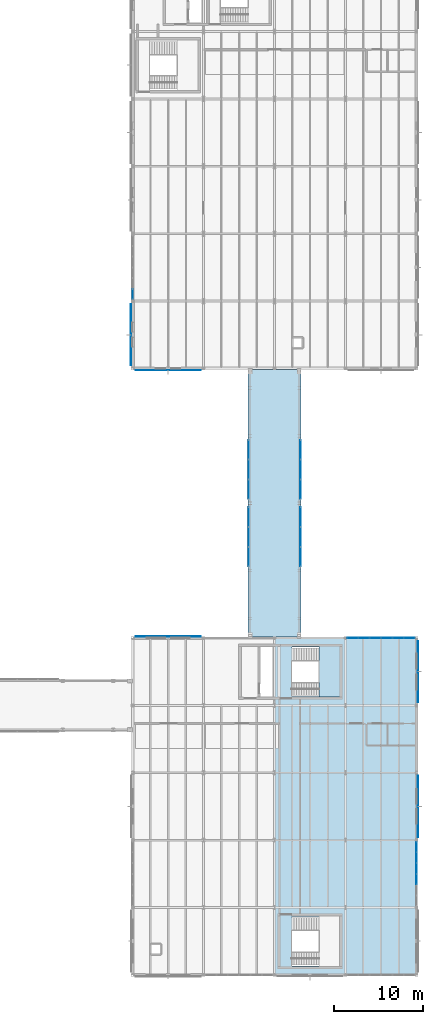
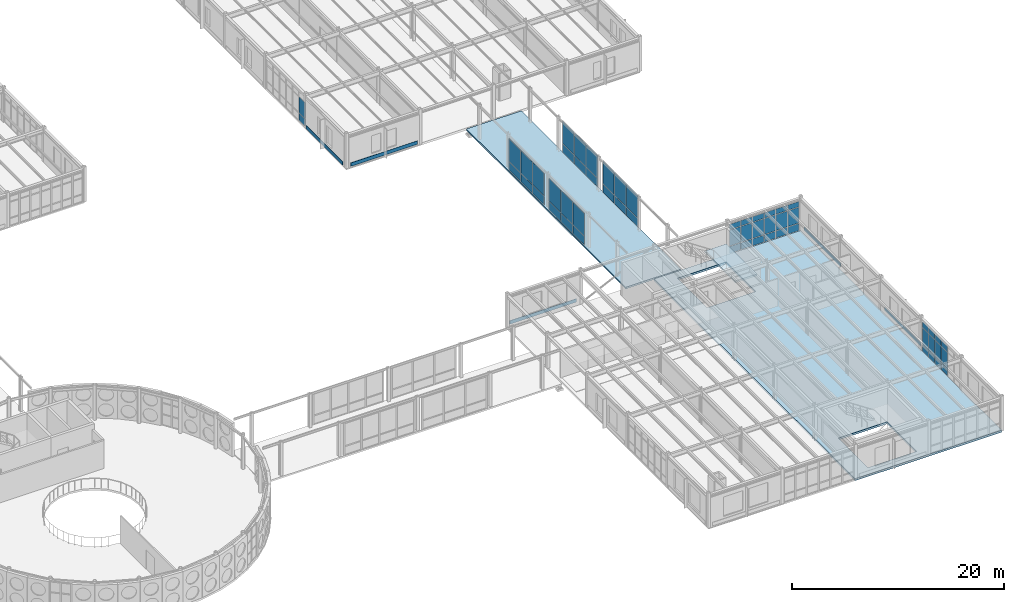
# One storey, part 130 of 165: 61 plates, 3 slabs, 8 elements without a shape of their own.
"""IFC4 building model written with IfcOpenShell, lengths in metres."""

from ifc_helpers import new_model, si_unit, direction, frame, origin, origin_2d, place, context, subcontext, project, spatial, polyline, rectangle, outline, extrude, material, layer, layer_set, type_object, element, aggregate, save


model = new_model("IFC4")

# Units and contexts
model_context = context("Model", 3, precision=1e-05, world=origin(), true_north=direction((0.0, 1.0)))
body_context = subcontext(model_context, "Body", "Model", "MODEL_VIEW")
ifc_project = project(units=[si_unit("LENGTHUNIT", "METRE"), si_unit("AREAUNIT", "SQUARE_METRE"), si_unit("VOLUMEUNIT", "CUBIC_METRE"), si_unit("PLANEANGLEUNIT", "RADIAN"), si_unit("MASSUNIT", "GRAM", prefix="KILO")], contexts=[model_context])

# Site, building, storey
site_placement = place(None, origin())
site = spatial("IfcSite", under=ifc_project, at=site_placement, CompositionType="ELEMENT")
building_placement = place(site_placement, origin())
building = spatial("IfcBuilding", under=site, at=building_placement, Name="Montecoro Central Library", CompositionType="ELEMENT")
storey_placement = place(building_placement, frame((0.0, 0.0, 5.10009765625)))
storey = spatial("IfcBuildingStorey", under=building, at=storey_placement, Name="L01", CompositionType="ELEMENT", Elevation=5.10009765625)

# Curtain wall, plates
ifc_material_1 = material(Name="Bronze-anodised aluminium and low-E glazing", Category="aluminium")
ifc_layer_1 = layer(ifc_material_1, 0.159912109375)
ifc_layer_set_1 = layer_set([ifc_layer_1], Name="Bronze-anodised aluminium and low-E glazing")
curtain_wall_type_1 = type_object("IfcCurtainWallType", Name="CWT-062", PredefinedType="NOTDEFINED", material=ifc_layer_set_1)
curtain_wall_1_placement = place(storey_placement, origin())
curtain_wall_1 = element("IfcCurtainWall", 1, at=curtain_wall_1_placement, inside=storey, type_object=curtain_wall_type_1, Name="V6-L01-CW-N3", PredefinedType="NOTDEFINED")
ifc_material_2 = material(Name="Laminated low-E double glazing", Category="glass")
ifc_layer_2 = layer(ifc_material_2, 0.02587890625)
ifc_layer_set_2 = layer_set([ifc_layer_2], Name="Laminated low-E double glazing")
plate_type_1 = type_object("IfcPlateType", Name="CWP-GLZ-01", PredefinedType="CURTAIN_PANEL", material=ifc_layer_set_2)
plate_1_placement = place(storey_placement, frame((172.19091796875, 43.0, 0.059814453125), z_axis=(0.0, 0.0, 1.0), x_axis=(-1.0, 0.0, 0.0)))
plate_1 = element("IfcPlate", 2, at=plate_1_placement, type_object=plate_type_1, Name="CW-062 panel 1.1", PredefinedType="CURTAIN_PANEL", context=body_context, shape_type="SweptSolid", body=[
    extrude(rectangle(XDim=1.1923828125, YDim=0.02587890625, at=origin_2d()), origin(), (0.0, 0.0, 1.0), 0.81005859375),
])
plate_2_placement = place(storey_placement, frame((172.19091796875, 43.0, 0.9296875), z_axis=(0.0, 0.0, 1.0), x_axis=(-1.0, 0.0, 0.0)))
plate_2 = element("IfcPlate", 3, at=plate_2_placement, type_object=plate_type_1, Name="CW-062 panel 1.2", PredefinedType="CURTAIN_PANEL", context=body_context, shape_type="SweptSolid", body=[
    extrude(rectangle(XDim=1.1923828125, YDim=0.02587890625, at=origin_2d()), origin(), (0.0, 0.0, 1.0), 1.820068359375),
])
plate_3_placement = place(storey_placement, frame((172.19091796875, 43.0, 2.81005859375), z_axis=(0.0, 0.0, 1.0), x_axis=(-1.0, 0.0, 0.0)))
plate_3 = element("IfcPlate", 4, at=plate_3_placement, type_object=plate_type_1, Name="CW-062 panel 1.3", PredefinedType="CURTAIN_PANEL", context=body_context, shape_type="SweptSolid", body=[
    extrude(rectangle(XDim=1.1923828125, YDim=0.02587890625, at=origin_2d()), origin(), (0.0, 0.0, 1.0), 0.610107421875),
])
plate_4_placement = place(storey_placement, frame((170.923583984375, 43.0, 0.059814453125), z_axis=(0.0, 0.0, 1.0), x_axis=(-1.0, 0.0, 0.0)))
plate_4 = element("IfcPlate", 5, at=plate_4_placement, type_object=plate_type_1, Name="CW-062 panel 2.1", PredefinedType="CURTAIN_PANEL", context=body_context, shape_type="SweptSolid", body=[
    extrude(rectangle(XDim=1.222412109375, YDim=0.02587890625, at=origin_2d()), origin(), (0.0, 0.0, 1.0), 0.81005859375),
])
plate_5_placement = place(storey_placement, frame((170.923583984375, 43.0, 0.9296875), z_axis=(0.0, 0.0, 1.0), x_axis=(-1.0, 0.0, 0.0)))
plate_5 = element("IfcPlate", 6, at=plate_5_placement, type_object=plate_type_1, Name="CW-062 panel 2.2", PredefinedType="CURTAIN_PANEL", context=body_context, shape_type="SweptSolid", body=[
    extrude(rectangle(XDim=1.222412109375, YDim=0.02587890625, at=origin_2d()), origin(), (0.0, 0.0, 1.0), 1.820068359375),
])
plate_6_placement = place(storey_placement, frame((170.923583984375, 43.0, 2.81005859375), z_axis=(0.0, 0.0, 1.0), x_axis=(-1.0, 0.0, 0.0)))
plate_6 = element("IfcPlate", 7, at=plate_6_placement, type_object=plate_type_1, Name="CW-062 panel 2.3", PredefinedType="CURTAIN_PANEL", context=body_context, shape_type="SweptSolid", body=[
    extrude(rectangle(XDim=1.222412109375, YDim=0.02587890625, at=origin_2d()), origin(), (0.0, 0.0, 1.0), 0.610107421875),
])
plate_7_placement = place(storey_placement, frame((169.64111328125, 43.0, 0.059814453125), z_axis=(0.0, 0.0, 1.0), x_axis=(-1.0, 0.0, 0.0)))
plate_7 = element("IfcPlate", 8, at=plate_7_placement, type_object=plate_type_1, Name="CW-062 panel 3.1", PredefinedType="CURTAIN_PANEL", context=body_context, shape_type="SweptSolid", body=[
    extrude(rectangle(XDim=1.222412109375, YDim=0.02587890625, at=origin_2d()), origin(), (0.0, 0.0, 1.0), 0.81005859375),
])
plate_8_placement = place(storey_placement, frame((169.64111328125, 43.0, 0.9296875), z_axis=(0.0, 0.0, 1.0), x_axis=(-1.0, 0.0, 0.0)))
plate_8 = element("IfcPlate", 9, at=plate_8_placement, type_object=plate_type_1, Name="CW-062 panel 3.2", PredefinedType="CURTAIN_PANEL", context=body_context, shape_type="SweptSolid", body=[
    extrude(rectangle(XDim=1.222412109375, YDim=0.02587890625, at=origin_2d()), origin(), (0.0, 0.0, 1.0), 1.820068359375),
])
plate_9_placement = place(storey_placement, frame((169.64111328125, 43.0, 2.81005859375), z_axis=(0.0, 0.0, 1.0), x_axis=(-1.0, 0.0, 0.0)))
plate_9 = element("IfcPlate", 10, at=plate_9_placement, type_object=plate_type_1, Name="CW-062 panel 3.3", PredefinedType="CURTAIN_PANEL", context=body_context, shape_type="SweptSolid", body=[
    extrude(rectangle(XDim=1.222412109375, YDim=0.02587890625, at=origin_2d()), origin(), (0.0, 0.0, 1.0), 0.610107421875),
])
plate_10_placement = place(storey_placement, frame((168.35888671875, 43.0, 0.059814453125), z_axis=(0.0, 0.0, 1.0), x_axis=(-1.0, 0.0, 0.0)))
plate_10 = element("IfcPlate", 11, at=plate_10_placement, type_object=plate_type_1, Name="CW-062 panel 4.1", PredefinedType="CURTAIN_PANEL", context=body_context, shape_type="SweptSolid", body=[
    extrude(rectangle(XDim=1.222412109375, YDim=0.02587890625, at=origin_2d()), origin(), (0.0, 0.0, 1.0), 0.81005859375),
])
plate_11_placement = place(storey_placement, frame((168.35888671875, 43.0, 0.9296875), z_axis=(0.0, 0.0, 1.0), x_axis=(-1.0, 0.0, 0.0)))
plate_11 = element("IfcPlate", 12, at=plate_11_placement, type_object=plate_type_1, Name="CW-062 panel 4.2", PredefinedType="CURTAIN_PANEL", context=body_context, shape_type="SweptSolid", body=[
    extrude(rectangle(XDim=1.222412109375, YDim=0.02587890625, at=origin_2d()), origin(), (0.0, 0.0, 1.0), 1.820068359375),
])
plate_12_placement = place(storey_placement, frame((168.35888671875, 43.0, 2.81005859375), z_axis=(0.0, 0.0, 1.0), x_axis=(-1.0, 0.0, 0.0)))
plate_12 = element("IfcPlate", 13, at=plate_12_placement, type_object=plate_type_1, Name="CW-062 panel 4.3", PredefinedType="CURTAIN_PANEL", context=body_context, shape_type="SweptSolid", body=[
    extrude(rectangle(XDim=1.222412109375, YDim=0.02587890625, at=origin_2d()), origin(), (0.0, 0.0, 1.0), 0.610107421875),
])
plate_13_placement = place(storey_placement, frame((167.076416015625, 43.0, 0.059814453125), z_axis=(0.0, 0.0, 1.0), x_axis=(-1.0, 0.0, 0.0)))
plate_13 = element("IfcPlate", 14, at=plate_13_placement, type_object=plate_type_1, Name="CW-062 panel 5.1", PredefinedType="CURTAIN_PANEL", context=body_context, shape_type="SweptSolid", body=[
    extrude(rectangle(XDim=1.222412109375, YDim=0.02587890625, at=origin_2d()), origin(), (0.0, 0.0, 1.0), 0.81005859375),
])
plate_14_placement = place(storey_placement, frame((167.076416015625, 43.0, 0.9296875), z_axis=(0.0, 0.0, 1.0), x_axis=(-1.0, 0.0, 0.0)))
plate_14 = element("IfcPlate", 15, at=plate_14_placement, type_object=plate_type_1, Name="CW-062 panel 5.2", PredefinedType="CURTAIN_PANEL", context=body_context, shape_type="SweptSolid", body=[
    extrude(rectangle(XDim=1.222412109375, YDim=0.02587890625, at=origin_2d()), origin(), (0.0, 0.0, 1.0), 1.820068359375),
])
plate_15_placement = place(storey_placement, frame((167.076416015625, 43.0, 2.81005859375), z_axis=(0.0, 0.0, 1.0), x_axis=(-1.0, 0.0, 0.0)))
plate_15 = element("IfcPlate", 16, at=plate_15_placement, type_object=plate_type_1, Name="CW-062 panel 5.3", PredefinedType="CURTAIN_PANEL", context=body_context, shape_type="SweptSolid", body=[
    extrude(rectangle(XDim=1.222412109375, YDim=0.02587890625, at=origin_2d()), origin(), (0.0, 0.0, 1.0), 0.610107421875),
])
plate_16_placement = place(storey_placement, frame((165.80908203125, 43.0, 0.059814453125), z_axis=(0.0, 0.0, 1.0), x_axis=(-1.0, 0.0, 0.0)))
plate_16 = element("IfcPlate", 17, at=plate_16_placement, type_object=plate_type_1, Name="CW-062 panel 6.1", PredefinedType="CURTAIN_PANEL", context=body_context, shape_type="SweptSolid", body=[
    extrude(rectangle(XDim=1.1923828125, YDim=0.02587890625, at=origin_2d()), origin(), (0.0, 0.0, 1.0), 0.81005859375),
])
plate_17_placement = place(storey_placement, frame((165.80908203125, 43.0, 0.9296875), z_axis=(0.0, 0.0, 1.0), x_axis=(-1.0, 0.0, 0.0)))
plate_17 = element("IfcPlate", 18, at=plate_17_placement, type_object=plate_type_1, Name="CW-062 panel 6.2", PredefinedType="CURTAIN_PANEL", context=body_context, shape_type="SweptSolid", body=[
    extrude(rectangle(XDim=1.1923828125, YDim=0.02587890625, at=origin_2d()), origin(), (0.0, 0.0, 1.0), 1.820068359375),
])
plate_18_placement = place(storey_placement, frame((165.80908203125, 43.0, 2.81005859375), z_axis=(0.0, 0.0, 1.0), x_axis=(-1.0, 0.0, 0.0)))
plate_18 = element("IfcPlate", 19, at=plate_18_placement, type_object=plate_type_1, Name="CW-062 panel 6.3", PredefinedType="CURTAIN_PANEL", context=body_context, shape_type="SweptSolid", body=[
    extrude(rectangle(XDim=1.1923828125, YDim=0.02587890625, at=origin_2d()), origin(), (0.0, 0.0, 1.0), 0.610107421875),
])
aggregate(curtain_wall_1, [plate_1, plate_2, plate_3, plate_4, plate_5, plate_6, plate_7, plate_8, plate_9, plate_10, plate_11, plate_12, plate_13, plate_14, plate_15, plate_16, plate_17, plate_18])

ifc_layer_3 = layer(ifc_material_1, 0.159912109375)
ifc_layer_set_3 = layer_set([ifc_layer_3], Name="Bronze-anodised aluminium and low-E glazing")
curtain_wall_type_2 = type_object("IfcCurtainWallType", Name="CWT-083", PredefinedType="NOTDEFINED", material=ifc_layer_set_3)
curtain_wall_2_placement = place(storey_placement, origin())
curtain_wall_2 = element("IfcCurtainWall", 20, at=curtain_wall_2_placement, inside=storey, type_object=curtain_wall_type_2, Name="BR-E-L01-CW-W1", PredefinedType="NOTDEFINED")
plate_19_placement = place(storey_placement, frame((154.080078125, 52.16162109375, 0.059814453125), z_axis=(0.0, 0.0, 1.0), x_axis=(0.0, 1.0, 0.0)))
plate_19 = element("IfcPlate", 21, at=plate_19_placement, type_object=plate_type_1, Name="CW-083 panel 1.1", PredefinedType="CURTAIN_PANEL", context=body_context, shape_type="SweptSolid", body=[
    extrude(rectangle(XDim=2.163330078125, YDim=0.02587890625, at=origin_2d()), origin(), (0.0, 0.0, 1.0), 0.9599609375),
])
plate_20_placement = place(storey_placement, frame((154.080078125, 52.16162109375, 1.080078125), z_axis=(0.0, 0.0, 1.0), x_axis=(0.0, 1.0, 0.0)))
plate_20 = element("IfcPlate", 22, at=plate_20_placement, type_object=plate_type_1, Name="CW-083 panel 1.2", PredefinedType="CURTAIN_PANEL", context=body_context, shape_type="SweptSolid", body=[
    extrude(rectangle(XDim=2.163330078125, YDim=0.02587890625, at=origin_2d()), origin(), (0.0, 0.0, 1.0), 2.590087890625),
])
plate_21_placement = place(storey_placement, frame((154.080078125, 54.39990234375, 0.059814453125), z_axis=(0.0, 0.0, 1.0), x_axis=(0.0, 1.0, 0.0)))
plate_21 = element("IfcPlate", 23, at=plate_21_placement, type_object=plate_type_1, Name="CW-083 panel 2.1", PredefinedType="CURTAIN_PANEL", context=body_context, shape_type="SweptSolid", body=[
    extrude(rectangle(XDim=2.193359375, YDim=0.02587890625, at=origin_2d()), origin(), (0.0, 0.0, 1.0), 0.9599609375),
])
plate_22_placement = place(storey_placement, frame((154.080078125, 54.39990234375, 1.080078125), z_axis=(0.0, 0.0, 1.0), x_axis=(0.0, 1.0, 0.0)))
plate_22 = element("IfcPlate", 24, at=plate_22_placement, type_object=plate_type_1, Name="CW-083 panel 2.2", PredefinedType="CURTAIN_PANEL", context=body_context, shape_type="SweptSolid", body=[
    extrude(rectangle(XDim=2.193359375, YDim=0.02587890625, at=origin_2d()), origin(), (0.0, 0.0, 1.0), 2.590087890625),
])
plate_23_placement = place(storey_placement, frame((154.080078125, 56.638427734375, 0.059814453125), z_axis=(0.0, 0.0, 1.0), x_axis=(0.0, 1.0, 0.0)))
plate_23 = element("IfcPlate", 25, at=plate_23_placement, type_object=plate_type_1, Name="CW-083 panel 3.1", PredefinedType="CURTAIN_PANEL", context=body_context, shape_type="SweptSolid", body=[
    extrude(rectangle(XDim=2.163330078125, YDim=0.02587890625, at=origin_2d()), origin(), (0.0, 0.0, 1.0), 0.9599609375),
])
plate_24_placement = place(storey_placement, frame((154.080078125, 56.638427734375, 1.080078125), z_axis=(0.0, 0.0, 1.0), x_axis=(0.0, 1.0, 0.0)))
plate_24 = element("IfcPlate", 26, at=plate_24_placement, type_object=plate_type_1, Name="CW-083 panel 3.2", PredefinedType="CURTAIN_PANEL", context=body_context, shape_type="SweptSolid", body=[
    extrude(rectangle(XDim=2.163330078125, YDim=0.02587890625, at=origin_2d()), origin(), (0.0, 0.0, 1.0), 2.590087890625),
])
aggregate(curtain_wall_2, [plate_19, plate_20, plate_21, plate_22, plate_23, plate_24])

ifc_layer_4 = layer(ifc_material_1, 0.159912109375)
ifc_layer_set_4 = layer_set([ifc_layer_4], Name="Bronze-anodised aluminium and low-E glazing")
curtain_wall_type_3 = type_object("IfcCurtainWallType", Name="CWT-084", PredefinedType="NOTDEFINED", material=ifc_layer_set_4)
curtain_wall_3_placement = place(storey_placement, origin())
curtain_wall_3 = element("IfcCurtainWall", 27, at=curtain_wall_3_placement, inside=storey, type_object=curtain_wall_type_3, Name="BR-E-L01-CW-W2", PredefinedType="NOTDEFINED")
plate_25_placement = place(storey_placement, frame((154.080078125, 59.76171875, 0.059814453125), z_axis=(0.0, 0.0, 1.0), x_axis=(0.0, 1.0, 0.0)))
plate_25 = element("IfcPlate", 28, at=plate_25_placement, type_object=plate_type_1, Name="CW-084 panel 1.1", PredefinedType="CURTAIN_PANEL", context=body_context, shape_type="SweptSolid", body=[
    extrude(rectangle(XDim=2.163330078125, YDim=0.02587890625, at=origin_2d()), origin(), (0.0, 0.0, 1.0), 0.9599609375),
])
plate_26_placement = place(storey_placement, frame((154.080078125, 59.76171875, 1.080078125), z_axis=(0.0, 0.0, 1.0), x_axis=(0.0, 1.0, 0.0)))
plate_26 = element("IfcPlate", 29, at=plate_26_placement, type_object=plate_type_1, Name="CW-084 panel 1.2", PredefinedType="CURTAIN_PANEL", context=body_context, shape_type="SweptSolid", body=[
    extrude(rectangle(XDim=2.163330078125, YDim=0.02587890625, at=origin_2d()), origin(), (0.0, 0.0, 1.0), 2.590087890625),
])
plate_27_placement = place(storey_placement, frame((154.080078125, 62.0, 0.059814453125), z_axis=(0.0, 0.0, 1.0), x_axis=(0.0, 1.0, 0.0)))
plate_27 = element("IfcPlate", 30, at=plate_27_placement, type_object=plate_type_1, Name="CW-084 panel 2.1", PredefinedType="CURTAIN_PANEL", context=body_context, shape_type="SweptSolid", body=[
    extrude(rectangle(XDim=2.193359375, YDim=0.02587890625, at=origin_2d()), origin(), (0.0, 0.0, 1.0), 0.9599609375),
])
plate_28_placement = place(storey_placement, frame((154.080078125, 62.0, 1.080078125), z_axis=(0.0, 0.0, 1.0), x_axis=(0.0, 1.0, 0.0)))
plate_28 = element("IfcPlate", 31, at=plate_28_placement, type_object=plate_type_1, Name="CW-084 panel 2.2", PredefinedType="CURTAIN_PANEL", context=body_context, shape_type="SweptSolid", body=[
    extrude(rectangle(XDim=2.193359375, YDim=0.02587890625, at=origin_2d()), origin(), (0.0, 0.0, 1.0), 2.590087890625),
])
plate_29_placement = place(storey_placement, frame((154.080078125, 64.23828125, 0.059814453125), z_axis=(0.0, 0.0, 1.0), x_axis=(0.0, 1.0, 0.0)))
plate_29 = element("IfcPlate", 32, at=plate_29_placement, type_object=plate_type_1, Name="CW-084 panel 3.1", PredefinedType="CURTAIN_PANEL", context=body_context, shape_type="SweptSolid", body=[
    extrude(rectangle(XDim=2.163330078125, YDim=0.02587890625, at=origin_2d()), origin(), (0.0, 0.0, 1.0), 0.9599609375),
])
plate_30_placement = place(storey_placement, frame((154.080078125, 64.23828125, 1.080078125), z_axis=(0.0, 0.0, 1.0), x_axis=(0.0, 1.0, 0.0)))
plate_30 = element("IfcPlate", 33, at=plate_30_placement, type_object=plate_type_1, Name="CW-084 panel 3.2", PredefinedType="CURTAIN_PANEL", context=body_context, shape_type="SweptSolid", body=[
    extrude(rectangle(XDim=2.163330078125, YDim=0.02587890625, at=origin_2d()), origin(), (0.0, 0.0, 1.0), 2.590087890625),
])
aggregate(curtain_wall_3, [plate_25, plate_26, plate_27, plate_28, plate_29, plate_30])

curtain_wall_4_placement = place(storey_placement, origin())
curtain_wall_4 = element("IfcCurtainWall", 34, at=curtain_wall_4_placement, inside=storey, type_object=curtain_wall_type_2, Name="BR-E-L01-CW-E1", PredefinedType="NOTDEFINED")
plate_31_placement = place(storey_placement, frame((159.919921875, 52.16162109375, 0.059814453125), z_axis=(0.0, 0.0, 1.0), x_axis=(0.0, 1.0, 0.0)))
plate_31 = element("IfcPlate", 35, at=plate_31_placement, type_object=plate_type_1, Name="CW-083 panel 1.1", PredefinedType="CURTAIN_PANEL", context=body_context, shape_type="SweptSolid", body=[
    extrude(rectangle(XDim=2.163330078125, YDim=0.02587890625, at=origin_2d()), origin(), (0.0, 0.0, 1.0), 0.9599609375),
])
plate_32_placement = place(storey_placement, frame((159.919921875, 52.16162109375, 1.080078125), z_axis=(0.0, 0.0, 1.0), x_axis=(0.0, 1.0, 0.0)))
plate_32 = element("IfcPlate", 36, at=plate_32_placement, type_object=plate_type_1, Name="CW-083 panel 1.2", PredefinedType="CURTAIN_PANEL", context=body_context, shape_type="SweptSolid", body=[
    extrude(rectangle(XDim=2.163330078125, YDim=0.02587890625, at=origin_2d()), origin(), (0.0, 0.0, 1.0), 2.590087890625),
])
plate_33_placement = place(storey_placement, frame((159.919921875, 54.39990234375, 0.059814453125), z_axis=(0.0, 0.0, 1.0), x_axis=(0.0, 1.0, 0.0)))
plate_33 = element("IfcPlate", 37, at=plate_33_placement, type_object=plate_type_1, Name="CW-083 panel 2.1", PredefinedType="CURTAIN_PANEL", context=body_context, shape_type="SweptSolid", body=[
    extrude(rectangle(XDim=2.193359375, YDim=0.02587890625, at=origin_2d()), origin(), (0.0, 0.0, 1.0), 0.9599609375),
])
plate_34_placement = place(storey_placement, frame((159.919921875, 54.39990234375, 1.080078125), z_axis=(0.0, 0.0, 1.0), x_axis=(0.0, 1.0, 0.0)))
plate_34 = element("IfcPlate", 38, at=plate_34_placement, type_object=plate_type_1, Name="CW-083 panel 2.2", PredefinedType="CURTAIN_PANEL", context=body_context, shape_type="SweptSolid", body=[
    extrude(rectangle(XDim=2.193359375, YDim=0.02587890625, at=origin_2d()), origin(), (0.0, 0.0, 1.0), 2.590087890625),
])
plate_35_placement = place(storey_placement, frame((159.919921875, 56.638427734375, 0.059814453125), z_axis=(0.0, 0.0, 1.0), x_axis=(0.0, 1.0, 0.0)))
plate_35 = element("IfcPlate", 39, at=plate_35_placement, type_object=plate_type_1, Name="CW-083 panel 3.1", PredefinedType="CURTAIN_PANEL", context=body_context, shape_type="SweptSolid", body=[
    extrude(rectangle(XDim=2.163330078125, YDim=0.02587890625, at=origin_2d()), origin(), (0.0, 0.0, 1.0), 0.9599609375),
])
plate_36_placement = place(storey_placement, frame((159.919921875, 56.638427734375, 1.080078125), z_axis=(0.0, 0.0, 1.0), x_axis=(0.0, 1.0, 0.0)))
plate_36 = element("IfcPlate", 40, at=plate_36_placement, type_object=plate_type_1, Name="CW-083 panel 3.2", PredefinedType="CURTAIN_PANEL", context=body_context, shape_type="SweptSolid", body=[
    extrude(rectangle(XDim=2.163330078125, YDim=0.02587890625, at=origin_2d()), origin(), (0.0, 0.0, 1.0), 2.590087890625),
])
aggregate(curtain_wall_4, [plate_31, plate_32, plate_33, plate_34, plate_35, plate_36])

curtain_wall_5_placement = place(storey_placement, origin())
curtain_wall_5 = element("IfcCurtainWall", 41, at=curtain_wall_5_placement, inside=storey, type_object=curtain_wall_type_3, Name="BR-E-L01-CW-E2", PredefinedType="NOTDEFINED")
plate_37_placement = place(storey_placement, frame((159.919921875, 59.76171875, 0.059814453125), z_axis=(0.0, 0.0, 1.0), x_axis=(0.0, 1.0, 0.0)))
plate_37 = element("IfcPlate", 42, at=plate_37_placement, type_object=plate_type_1, Name="CW-084 panel 1.1", PredefinedType="CURTAIN_PANEL", context=body_context, shape_type="SweptSolid", body=[
    extrude(rectangle(XDim=2.163330078125, YDim=0.02587890625, at=origin_2d()), origin(), (0.0, 0.0, 1.0), 0.9599609375),
])
plate_38_placement = place(storey_placement, frame((159.919921875, 59.76171875, 1.080078125), z_axis=(0.0, 0.0, 1.0), x_axis=(0.0, 1.0, 0.0)))
plate_38 = element("IfcPlate", 43, at=plate_38_placement, type_object=plate_type_1, Name="CW-084 panel 1.2", PredefinedType="CURTAIN_PANEL", context=body_context, shape_type="SweptSolid", body=[
    extrude(rectangle(XDim=2.163330078125, YDim=0.02587890625, at=origin_2d()), origin(), (0.0, 0.0, 1.0), 2.590087890625),
])
plate_39_placement = place(storey_placement, frame((159.919921875, 62.0, 0.059814453125), z_axis=(0.0, 0.0, 1.0), x_axis=(0.0, 1.0, 0.0)))
plate_39 = element("IfcPlate", 44, at=plate_39_placement, type_object=plate_type_1, Name="CW-084 panel 2.1", PredefinedType="CURTAIN_PANEL", context=body_context, shape_type="SweptSolid", body=[
    extrude(rectangle(XDim=2.193359375, YDim=0.02587890625, at=origin_2d()), origin(), (0.0, 0.0, 1.0), 0.9599609375),
])
plate_40_placement = place(storey_placement, frame((159.919921875, 62.0, 1.080078125), z_axis=(0.0, 0.0, 1.0), x_axis=(0.0, 1.0, 0.0)))
plate_40 = element("IfcPlate", 45, at=plate_40_placement, type_object=plate_type_1, Name="CW-084 panel 2.2", PredefinedType="CURTAIN_PANEL", context=body_context, shape_type="SweptSolid", body=[
    extrude(rectangle(XDim=2.193359375, YDim=0.02587890625, at=origin_2d()), origin(), (0.0, 0.0, 1.0), 2.590087890625),
])
plate_41_placement = place(storey_placement, frame((159.919921875, 64.23828125, 0.059814453125), z_axis=(0.0, 0.0, 1.0), x_axis=(0.0, 1.0, 0.0)))
plate_41 = element("IfcPlate", 46, at=plate_41_placement, type_object=plate_type_1, Name="CW-084 panel 3.1", PredefinedType="CURTAIN_PANEL", context=body_context, shape_type="SweptSolid", body=[
    extrude(rectangle(XDim=2.163330078125, YDim=0.02587890625, at=origin_2d()), origin(), (0.0, 0.0, 1.0), 0.9599609375),
])
plate_42_placement = place(storey_placement, frame((159.919921875, 64.23828125, 1.080078125), z_axis=(0.0, 0.0, 1.0), x_axis=(0.0, 1.0, 0.0)))
plate_42 = element("IfcPlate", 47, at=plate_42_placement, type_object=plate_type_1, Name="CW-084 panel 3.2", PredefinedType="CURTAIN_PANEL", context=body_context, shape_type="SweptSolid", body=[
    extrude(rectangle(XDim=2.163330078125, YDim=0.02587890625, at=origin_2d()), origin(), (0.0, 0.0, 1.0), 2.590087890625),
])
aggregate(curtain_wall_5, [plate_37, plate_38, plate_39, plate_40, plate_41, plate_42])

ifc_layer_5 = layer(ifc_material_1, 0.159912109375)
ifc_layer_set_5 = layer_set([ifc_layer_5], Name="Bronze-anodised aluminium and low-E glazing")
curtain_wall_type_4 = type_object("IfcCurtainWallType", Name="CWT-053", PredefinedType="NOTDEFINED", material=ifc_layer_set_5)
curtain_wall_6_placement = place(storey_placement, origin())
curtain_wall_6 = element("IfcCurtainWall", 48, at=curtain_wall_6_placement, inside=storey, type_object=curtain_wall_type_4, Name="V5-L01-CW-W1", PredefinedType="NOTDEFINED")
ifc_layer_6 = layer(ifc_material_2, 0.0380859375)
ifc_layer_set_6 = layer_set([ifc_layer_6], Name="Laminated low-E double glazing")
plate_type_2 = type_object("IfcPlateType", Name="CWP-GLZ-04", PredefinedType="CURTAIN_PANEL", material=ifc_layer_set_6)
plate_43_placement = place(storey_placement, frame((141.0, 81.77587890625, 0.059814453125), z_axis=(0.0, 0.0, 1.0), x_axis=(0.0, -1.0, 0.0)))
plate_43 = element("IfcPlate", 49, at=plate_43_placement, type_object=plate_type_2, Name="CW-053 panel 6.1", PredefinedType="CURTAIN_PANEL", context=body_context, shape_type="SweptSolid", body=[
    extrude(rectangle(XDim=1.125732421875, YDim=0.0380859375, at=origin_2d()), origin(), (0.0, 0.0, 1.0), 0.81005859375),
])
plate_44_placement = place(storey_placement, frame((141.0, 81.77587890625, 0.9296875), z_axis=(0.0, 0.0, 1.0), x_axis=(0.0, -1.0, 0.0)))
plate_44 = element("IfcPlate", 50, at=plate_44_placement, type_object=plate_type_2, Name="CW-053 panel 6.2", PredefinedType="CURTAIN_PANEL", context=body_context, shape_type="SweptSolid", body=[
    extrude(rectangle(XDim=1.125732421875, YDim=0.0380859375, at=origin_2d()), origin(), (0.0, 0.0, 1.0), 1.820068359375),
])
aggregate(curtain_wall_6, [plate_43, plate_44])

ifc_layer_7 = layer(ifc_material_1, 0.159912109375)
ifc_layer_set_7 = layer_set([ifc_layer_7], Name="Bronze-anodised aluminium and low-E glazing")
curtain_wall_type_5 = type_object("IfcCurtainWallType", Name="CWT-061", PredefinedType="NOTDEFINED", material=ifc_layer_set_7)
curtain_wall_7_placement = place(storey_placement, origin())
curtain_wall_7 = element("IfcCurtainWall", 51, at=curtain_wall_7_placement, inside=storey, type_object=curtain_wall_type_5, Name="V6-L01-CW-E1", PredefinedType="NOTDEFINED")
plate_45_placement = place(storey_placement, frame((173.0, 15.792236328125, 0.059814453125), z_axis=(0.0, 0.0, 1.0), x_axis=(0.0, 1.0, 0.0)))
plate_45 = element("IfcPlate", 52, at=plate_45_placement, type_object=plate_type_2, Name="CW-061 panel 3.1", PredefinedType="CURTAIN_PANEL", context=body_context, shape_type="SweptSolid", body=[
    extrude(rectangle(XDim=1.15576171875, YDim=0.0380859375, at=origin_2d()), origin(), (0.0, 0.0, 1.0), 0.81005859375),
])
plate_46_placement = place(storey_placement, frame((173.0, 15.792236328125, 0.9296875), z_axis=(0.0, 0.0, 1.0), x_axis=(0.0, 1.0, 0.0)))
plate_46 = element("IfcPlate", 53, at=plate_46_placement, type_object=plate_type_2, Name="CW-061 panel 3.2", PredefinedType="CURTAIN_PANEL", context=body_context, shape_type="SweptSolid", body=[
    extrude(rectangle(XDim=1.15576171875, YDim=0.0380859375, at=origin_2d()), origin(), (0.0, 0.0, 1.0), 1.820068359375),
])
plate_47_placement = place(storey_placement, frame((173.0, 15.792236328125, 2.81005859375), z_axis=(0.0, 0.0, 1.0), x_axis=(0.0, 1.0, 0.0)))
plate_47 = element("IfcPlate", 54, at=plate_47_placement, type_object=plate_type_2, Name="CW-061 panel 3.3", PredefinedType="CURTAIN_PANEL", context=body_context, shape_type="SweptSolid", body=[
    extrude(rectangle(XDim=1.15576171875, YDim=0.0380859375, at=origin_2d()), origin(), (0.0, 0.0, 1.0), 0.610107421875),
])
plate_48_placement = place(storey_placement, frame((173.0, 17.0078125, 0.059814453125), z_axis=(0.0, 0.0, 1.0), x_axis=(0.0, 1.0, 0.0)))
plate_48 = element("IfcPlate", 55, at=plate_48_placement, type_object=plate_type_2, Name="CW-061 panel 4.1", PredefinedType="CURTAIN_PANEL", context=body_context, shape_type="SweptSolid", body=[
    extrude(rectangle(XDim=1.15576171875, YDim=0.0380859375, at=origin_2d()), origin(), (0.0, 0.0, 1.0), 0.81005859375),
])
plate_49_placement = place(storey_placement, frame((173.0, 17.0078125, 0.9296875), z_axis=(0.0, 0.0, 1.0), x_axis=(0.0, 1.0, 0.0)))
plate_49 = element("IfcPlate", 56, at=plate_49_placement, type_object=plate_type_2, Name="CW-061 panel 4.2", PredefinedType="CURTAIN_PANEL", context=body_context, shape_type="SweptSolid", body=[
    extrude(rectangle(XDim=1.15576171875, YDim=0.0380859375, at=origin_2d()), origin(), (0.0, 0.0, 1.0), 1.820068359375),
])
plate_50_placement = place(storey_placement, frame((173.0, 17.0078125, 2.81005859375), z_axis=(0.0, 0.0, 1.0), x_axis=(0.0, 1.0, 0.0)))
plate_50 = element("IfcPlate", 57, at=plate_50_placement, type_object=plate_type_2, Name="CW-061 panel 4.3", PredefinedType="CURTAIN_PANEL", context=body_context, shape_type="SweptSolid", body=[
    extrude(rectangle(XDim=1.15576171875, YDim=0.0380859375, at=origin_2d()), origin(), (0.0, 0.0, 1.0), 0.610107421875),
])
plate_51_placement = place(storey_placement, frame((173.0, 18.223388671875, 0.059814453125), z_axis=(0.0, 0.0, 1.0), x_axis=(0.0, 1.0, 0.0)))
plate_51 = element("IfcPlate", 58, at=plate_51_placement, type_object=plate_type_2, Name="CW-061 panel 5.1", PredefinedType="CURTAIN_PANEL", context=body_context, shape_type="SweptSolid", body=[
    extrude(rectangle(XDim=1.15576171875, YDim=0.0380859375, at=origin_2d()), origin(), (0.0, 0.0, 1.0), 0.81005859375),
])
plate_52_placement = place(storey_placement, frame((173.0, 18.223388671875, 0.9296875), z_axis=(0.0, 0.0, 1.0), x_axis=(0.0, 1.0, 0.0)))
plate_52 = element("IfcPlate", 59, at=plate_52_placement, type_object=plate_type_2, Name="CW-061 panel 5.2", PredefinedType="CURTAIN_PANEL", context=body_context, shape_type="SweptSolid", body=[
    extrude(rectangle(XDim=1.15576171875, YDim=0.0380859375, at=origin_2d()), origin(), (0.0, 0.0, 1.0), 1.820068359375),
])
plate_53_placement = place(storey_placement, frame((173.0, 18.223388671875, 2.81005859375), z_axis=(0.0, 0.0, 1.0), x_axis=(0.0, 1.0, 0.0)))
plate_53 = element("IfcPlate", 60, at=plate_53_placement, type_object=plate_type_2, Name="CW-061 panel 5.3", PredefinedType="CURTAIN_PANEL", context=body_context, shape_type="SweptSolid", body=[
    extrude(rectangle(XDim=1.15576171875, YDim=0.0380859375, at=origin_2d()), origin(), (0.0, 0.0, 1.0), 0.610107421875),
])
plate_54_placement = place(storey_placement, frame((173.0, 19.424072265625, 0.059814453125), z_axis=(0.0, 0.0, 1.0), x_axis=(0.0, 1.0, 0.0)))
plate_54 = element("IfcPlate", 61, at=plate_54_placement, type_object=plate_type_2, Name="CW-061 panel 6.1", PredefinedType="CURTAIN_PANEL", context=body_context, shape_type="SweptSolid", body=[
    extrude(rectangle(XDim=1.125732421875, YDim=0.0380859375, at=origin_2d()), origin(), (0.0, 0.0, 1.0), 0.81005859375),
])
plate_55_placement = place(storey_placement, frame((173.0, 19.424072265625, 0.9296875), z_axis=(0.0, 0.0, 1.0), x_axis=(0.0, 1.0, 0.0)))
plate_55 = element("IfcPlate", 62, at=plate_55_placement, type_object=plate_type_2, Name="CW-061 panel 6.2", PredefinedType="CURTAIN_PANEL", context=body_context, shape_type="SweptSolid", body=[
    extrude(rectangle(XDim=1.125732421875, YDim=0.0380859375, at=origin_2d()), origin(), (0.0, 0.0, 1.0), 1.820068359375),
])
plate_56_placement = place(storey_placement, frame((173.0, 19.424072265625, 2.81005859375), z_axis=(0.0, 0.0, 1.0), x_axis=(0.0, 1.0, 0.0)))
plate_56 = element("IfcPlate", 63, at=plate_56_placement, type_object=plate_type_2, Name="CW-061 panel 6.3", PredefinedType="CURTAIN_PANEL", context=body_context, shape_type="SweptSolid", body=[
    extrude(rectangle(XDim=1.125732421875, YDim=0.0380859375, at=origin_2d()), origin(), (0.0, 0.0, 1.0), 0.610107421875),
])
aggregate(curtain_wall_7, [plate_45, plate_46, plate_47, plate_48, plate_49, plate_50, plate_51, plate_52, plate_53, plate_54, plate_55, plate_56])

# Plates
ifc_material_3 = material(Name="Architectural bronze spandrel plate", Category="aluminium")
ifc_layer_8 = layer(ifc_material_3, 0.02197265625)
ifc_layer_set_8 = layer_set([ifc_layer_8], Name="Architectural bronze spandrel plate")
plate_type_3 = type_object("IfcPlateType", Name="PLT-SPN-01", PredefinedType="SHEET", material=ifc_layer_set_8)
plate_57_placement = place(storey_placement, frame((173.166015625, 24.0, 0.159912109375), z_axis=(0.0, 0.0, 1.0), x_axis=(0.0, 1.0, 0.0)))
element("IfcPlate", 64, at=plate_57_placement, inside=storey, type_object=plate_type_3, Name="V6-L01-SPN-E2", PredefinedType="SHEET", context=body_context, shape_type="SweptSolid", body=[
    extrude(rectangle(XDim=6.89404296875, YDim=0.02197265625, at=origin_2d()), origin(), (0.0, 0.0, 1.0), 0.39990234375),
])
ifc_layer_9 = layer(ifc_material_3, 0.035888671875)
ifc_layer_set_9 = layer_set([ifc_layer_9], Name="Architectural bronze spandrel plate")
plate_type_4 = type_object("IfcPlateType", Name="PLT-SPN-03", PredefinedType="SHEET", material=ifc_layer_set_9)
plate_58_placement = place(storey_placement, frame((145.0, 73.199462890625, 0.159912109375), z_axis=(0.0, 0.0, 1.0), x_axis=(1.0, 0.0, 0.0)))
element("IfcPlate", 65, at=plate_58_placement, inside=storey, type_object=plate_type_4, Name="V5-L01-SPN-S0", PredefinedType="SHEET", context=body_context, shape_type="SweptSolid", body=[
    extrude(rectangle(XDim=7.2939453125, YDim=0.035888671875, at=origin_2d()), origin(), (0.0, 0.0, 1.0), 0.39990234375),
])
for number, where, z_axis, x_axis, name in (
    (66, (140.799560546875, 77.199951171875, 0.159912109375), (0.0, 0.0, 1.0), (0.0, -1.0, 0.0), "V5-L01-SPN-W0"),
    (67, (173.173095703125, 39.199951171875, 0.159912109375), (0.0, 0.0, 1.0), (0.0, 1.0, 0.0), "V6-L01-SPN-E4"),
):
    element("IfcPlate", number, at=place(storey_placement, frame(where, z_axis=z_axis, x_axis=x_axis)), inside=storey, type_object=plate_type_4, Name=name, PredefinedType="SHEET", context=body_context, shape_type="SweptSolid", body=[
        extrude(rectangle(XDim=6.89404296875, YDim=0.035888671875, at=origin_2d()), origin(), (0.0, 0.0, 1.0), 0.39990234375),
    ])
plate_59_placement = place(storey_placement, frame((145.0, 43.173095703125, 0.159912109375), z_axis=(0.0, 0.0, 1.0), x_axis=(-1.0, 0.0, 0.0)))
element("IfcPlate", 68, at=plate_59_placement, inside=storey, type_object=plate_type_4, Name="V6-L01-SPN-N0", PredefinedType="SHEET", context=body_context, shape_type="SweptSolid", body=[
    extrude(rectangle(XDim=7.2939453125, YDim=0.035888671875, at=origin_2d()), origin(), (0.0, 0.0, 1.0), 0.39990234375),
])

# Slabs
ifc_material_4 = material(Name="Concrete C32/40", Category="concrete")
ifc_layer_10 = layer(ifc_material_4, 0.18505859375)
ifc_layer_set_10 = layer_set([ifc_layer_10], Name="Concrete C32/40")
slab_type_1 = type_object("IfcSlabType", Name="SL-BRG-185", PredefinedType="FLOOR", material=ifc_layer_set_10)
slab_1_placement = place(storey_placement, frame((0.0, 0.0, -0.18505859375)))
element("IfcSlab", 69, at=slab_1_placement, inside=storey, type_object=slab_type_1, Name="BR-E Skybridge Link Bridge Slab", PredefinedType="FLOOR", context=body_context, shape_type="SweptSolid", body=[
    extrude(outline(polyline([(154.0, 43.139892578125), (160.0, 43.139892578125), (160.0, 73.260009765625), (154.0, 73.260009765625), (154.0, 43.139892578125)])), origin(), (0.0, 0.0, 1.0), 0.18505859375),
])
ifc_layer_11 = layer(ifc_material_4, 0.22509765625)
ifc_layer_set_11 = layer_set([ifc_layer_11], Name="Concrete C32/40")
slab_type_2 = type_object("IfcSlabType", Name="SL-FLR-225", PredefinedType="FLOOR", material=ifc_layer_set_11)
slab_2_placement = place(storey_placement, frame((0.0, 0.0, -0.22509765625)))
element("IfcSlab", 70, at=slab_2_placement, inside=storey, type_object=slab_type_2, Name="V6-L01-SL3", PredefinedType="FLOOR", context=body_context, shape_type="SweptSolid", body=[
    extrude(outline(polyline([(157.0, 5.0), (173.0, 5.0), (173.0, 43.0), (157.0, 43.0), (157.0, 5.0)]), holes=[polyline([(158.9599609375, 42.0), (164.300048828125, 42.0), (164.300048828125, 36.39990234375), (158.9599609375, 36.39990234375), (158.9599609375, 42.0)]), polyline([(158.9599609375, 11.60009765625), (164.300048828125, 11.60009765625), (164.300048828125, 6.0), (158.9599609375, 6.0), (158.9599609375, 11.60009765625)])]), origin(), (0.0, 0.0, 1.0), 0.22509765625),
])

# Stair, slab
ifc_material_5 = material(Name="Concrete C35/45", Category="concrete")
stair_type = type_object("IfcStairType", Name="STR-RET-150", PredefinedType="HALF_TURN_STAIR", material=ifc_material_5)
stair_placement = place(storey_placement, origin())
stair = element("IfcStair", 71, at=stair_placement, inside=storey, type_object=stair_type, Name="C7-L01-STR", PredefinedType="HALF_TURN_STAIR")
ifc_layer_12 = layer(ifc_material_5, 0.199951171875)
ifc_layer_set_12 = layer_set([ifc_layer_12], Name="Concrete C35/45")
slab_type_3 = type_object("IfcSlabType", Name="SL-LND-200", PredefinedType="LANDING", material=ifc_layer_set_12)
slab_3_placement = place(storey_placement, frame((0.0, 0.0, 1.83984375)))
slab_3 = element("IfcSlab", 72, at=slab_3_placement, type_object=slab_type_3, Name="ST-07 landing 1", PredefinedType="LANDING", context=body_context, shape_type="SweptSolid", body=[
    extrude(outline(polyline([(162.0, 36.320068359375), (164.3798828125, 36.320068359375), (164.3798828125, 42.080078125), (162.0, 42.080078125), (162.0, 36.320068359375)])), origin(), (0.0, 0.0, 1.0), 0.199951171875),
])
aggregate(stair, [slab_3])

save(model, "model.ifc")
